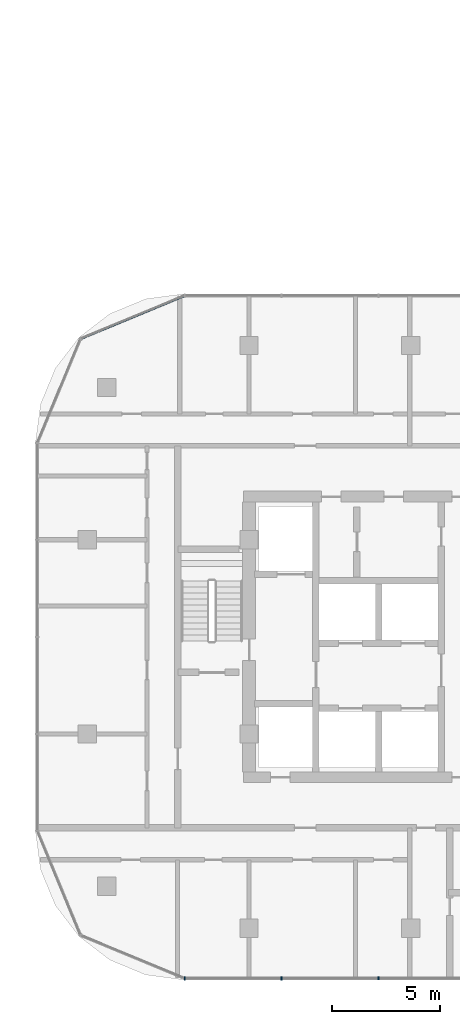
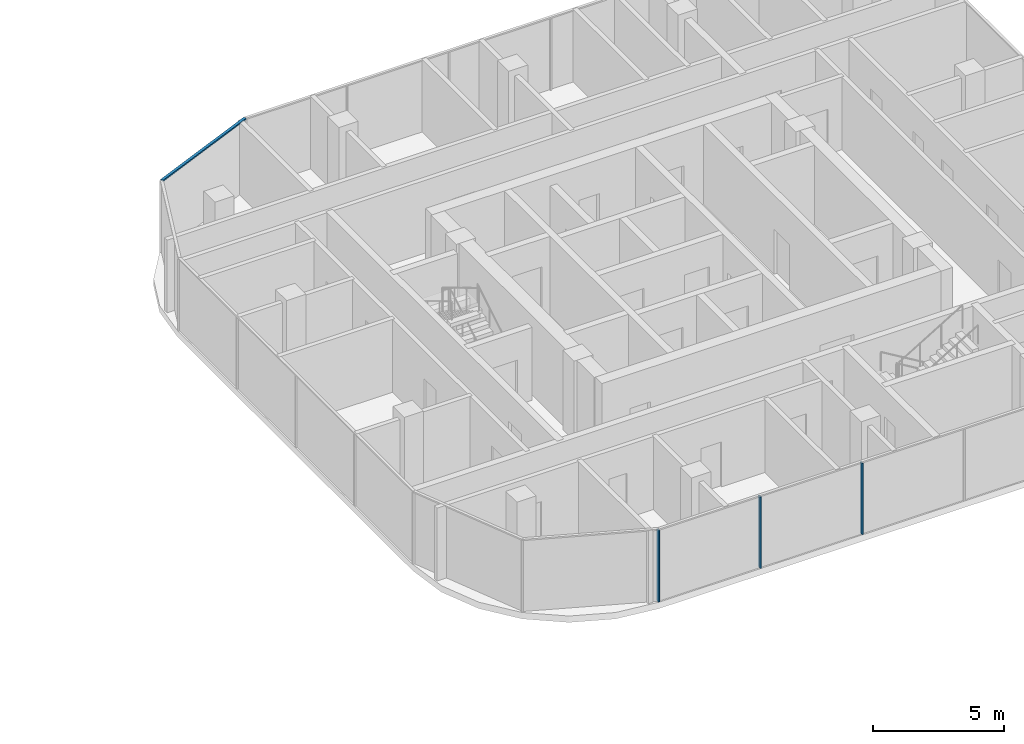
# One storey, part 11 of 34: 4 members, 2 elements without a shape of their own.
"""IFC4 building model written with IfcOpenShell, lengths in metres."""

from ifc_helpers import new_model, si_unit, direction, frame, origin, origin_2d, place, context, subcontext, project, spatial, rectangle, extrude, material, material_profile, profile_set, type_object, element, aggregate, save


model = new_model("IFC4")

# Units and contexts
model_context = context("Model", 3, precision=1e-05, world=origin(), true_north=direction((0.0, 1.0)))
body_context = subcontext(model_context, "Body", "Model", "MODEL_VIEW")
ifc_project = project(units=[si_unit("LENGTHUNIT", "METRE"), si_unit("AREAUNIT", "SQUARE_METRE"), si_unit("VOLUMEUNIT", "CUBIC_METRE"), si_unit("PLANEANGLEUNIT", "RADIAN"), si_unit("MASSUNIT", "GRAM", prefix="KILO")], contexts=[model_context])

# Site, building, storey
site_placement = place(None, origin())
site = spatial("IfcSite", under=ifc_project, at=site_placement, CompositionType="ELEMENT")
building_placement = place(site_placement, origin())
building = spatial("IfcBuilding", under=site, at=building_placement, Name="Ogive Portal Towers", CompositionType="ELEMENT")
storey_placement = place(building_placement, frame((0.0, 0.0, 66.800048828125)))
storey = spatial("IfcBuildingStorey", under=building, at=storey_placement, Name="L15", CompositionType="ELEMENT", Elevation=66.800048828125)

# Curtain wall, members
ifc_material_1 = material(Name="Glass, clear low-iron insulated glazing", Category="glass")
curtain_wall_type = type_object("IfcCurtainWallType", Name="CW RESIDENCES RIBBON", PredefinedType="NOTDEFINED", material=ifc_material_1)
curtain_wall_1_placement = place(storey_placement, origin())
curtain_wall_1 = element("IfcCurtainWall", 1, at=curtain_wall_1_placement, inside=storey, type_object=curtain_wall_type, Name="B:L15:f02:cw0", PredefinedType="NOTDEFINED")
ifc_material_2 = material(Name="Aluminium 6063 anodised", Category="aluminium")
ifc_material_profile_1 = material_profile(ifc_material_2, rectangle(XDim=0.159912109375, YDim=0.06005859375, at=origin_2d()), Name="AL 60x160")
ifc_profile_set_1 = profile_set([ifc_material_profile_1], Name="Aluminium 6063 anodised")
member_type_1 = type_object("IfcMemberType", Name="CW MULLION 60x160", PredefinedType="MULLION", material=ifc_profile_set_1)
member_1_placement = place(storey_placement, frame((126.015869140625, 15.179931640625, 0.0), z_axis=(0.0, 0.0, 1.0), x_axis=(0.0, 1.0, 0.0)))
member_1 = element("IfcMember", 2, at=member_1_placement, type_object=member_type_1, Name="mullion", PredefinedType="MULLION", context=body_context, shape_type="SweptSolid", body=[
    extrude(rectangle(XDim=0.159912109375, YDim=0.06005859375, at=origin_2d()), origin(), (0.0, 0.0, 1.0), 3.33984375),
])
member_2_placement = place(storey_placement, frame((130.5, 15.179931640625, 0.0), z_axis=(0.0, 0.0, 1.0), x_axis=(0.0, 1.0, 0.0)))
member_2 = element("IfcMember", 3, at=member_2_placement, type_object=member_type_1, Name="mullion", PredefinedType="MULLION", context=body_context, shape_type="SweptSolid", body=[
    extrude(rectangle(XDim=0.159912109375, YDim=0.06005859375, at=origin_2d()), origin(), (0.0, 0.0, 1.0), 3.33984375),
])
member_3_placement = place(storey_placement, frame((135.0, 15.179931640625, 0.0), z_axis=(0.0, 0.0, 1.0), x_axis=(0.0, 1.0, 0.0)))
member_3 = element("IfcMember", 4, at=member_3_placement, type_object=member_type_1, Name="mullion", PredefinedType="MULLION", context=body_context, shape_type="SweptSolid", body=[
    extrude(rectangle(XDim=0.159912109375, YDim=0.06005859375, at=origin_2d()), origin(), (0.0, 0.0, 1.0), 3.33984375),
])
aggregate(curtain_wall_1, [member_1, member_2, member_3])

# Curtain wall, member
curtain_wall_2_placement = place(storey_placement, origin())
curtain_wall_2 = element("IfcCurtainWall", 5, at=curtain_wall_2_placement, inside=storey, type_object=curtain_wall_type, Name="B:L15:f09:cwa", PredefinedType="NOTDEFINED")
ifc_material_profile_2 = material_profile(ifc_material_2, rectangle(XDim=0.1201171875, YDim=0.06005859375, at=origin_2d()), Name="AL 120x60")
ifc_profile_set_2 = profile_set([ifc_material_profile_2], Name="Aluminium 6063 anodised")
member_type_2 = type_object("IfcMemberType", Name="CW TRANSOM 60x120", PredefinedType="USERDEFINED", material=ifc_profile_set_2)
member_4_placement = place(storey_placement, frame((126.015869140625, 46.820068359375, 3.369873046875), z_axis=(-0.923879768784, -0.382682861952, 0.0), x_axis=(0.382682861952, -0.923879768784, 0.0)))
member_4 = element("IfcMember", 6, at=member_4_placement, type_object=member_type_2, Name="transom", ObjectType="TRANSOM", PredefinedType="USERDEFINED", context=body_context, shape_type="SweptSolid", body=[
    extrude(rectangle(XDim=0.1201171875, YDim=0.06005859375, at=origin_2d()), origin(), (0.0, 0.0, 1.0), 5.23193359375),
])
aggregate(curtain_wall_2, [member_4])

save(model, "model.ifc")
